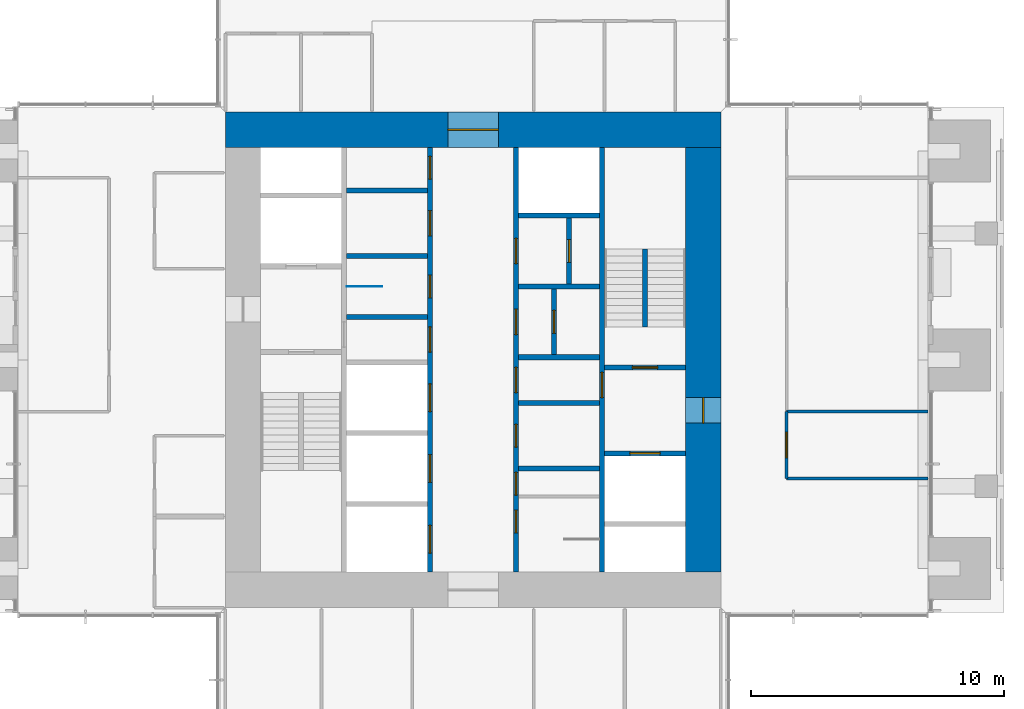
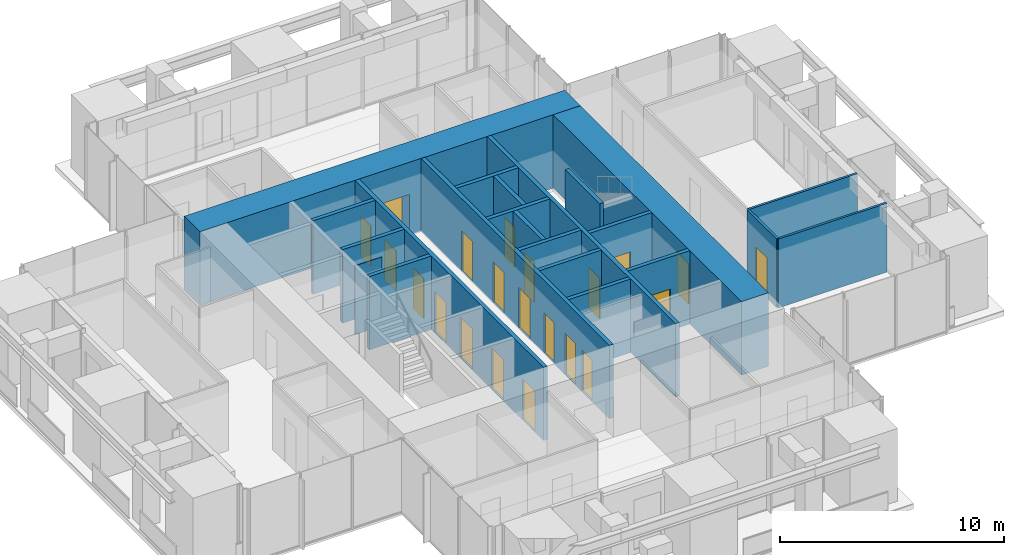
# One storey, part 13 of 17: 22 walls, 21 doors, 21 openings.
"""IFC4 building model written with IfcOpenShell, lengths in metres."""

from ifc_helpers import new_model, si_unit, direction, frame, frame_2d, origin, place, context, subcontext, project, spatial, rectangle, extrude, material, layer, layer_set, type_object, element, fill, save


model = new_model("IFC4")

# Units and contexts
model_context = context("Model", 3, precision=1e-05, world=origin(), true_north=direction((0.0, 1.0)))
body_context = subcontext(model_context, "Body", "Model", "MODEL_VIEW")
ifc_project = project(units=[si_unit("LENGTHUNIT", "METRE"), si_unit("AREAUNIT", "SQUARE_METRE"), si_unit("VOLUMEUNIT", "CUBIC_METRE"), si_unit("PLANEANGLEUNIT", "RADIAN"), si_unit("MASSUNIT", "GRAM", prefix="KILO")], contexts=[model_context])

# Site, building, storey
site_placement = place(None, origin())
site = spatial("IfcSite", under=ifc_project, at=site_placement, CompositionType="ELEMENT")
building_placement = place(site_placement, origin())
building = spatial("IfcBuilding", under=site, at=building_placement, Name="Svetlomir Tower", CompositionType="ELEMENT")
storey_placement = place(building_placement, frame((0.0, 0.0, 206.5)))
storey = spatial("IfcBuildingStorey", under=building, at=storey_placement, Name="L49", CompositionType="ELEMENT", Elevation=206.5)

# Wall, openings, doors
ifc_material_1 = material(Name="Concrete C60/75", Category="concrete")
ifc_layer_1 = layer(ifc_material_1, 0.199951171875)
ifc_layer_set_1 = layer_set([ifc_layer_1], Name="Concrete C60/75")
wall_type_1 = type_object("IfcWallType", Name="CORE INNER WALL 200", PredefinedType="SHEAR", material=ifc_layer_set_1)
wall_1_placement = place(storey_placement, frame((19.300048828125, 12.60009765625, -0.050048828125), z_axis=(0.0, 0.0, 1.0), x_axis=(0.0, 1.0, 0.0)))
wall_1 = element("IfcWall", 1, at=wall_1_placement, inside=storey, type_object=wall_type_1, Name="Core inner wall 19.3 L49", PredefinedType="SHEAR", context=body_context, shape_type="SweptSolid", body=[
    extrude(rectangle(XDim=16.7998046875, YDim=0.199951171875, at=frame_2d((8.39990234375, 0.0))), origin(), (0.0, 0.0, 1.0), 4.0),
])
opening_1_placement = place(wall_1_placement, frame((8.699951171875, 0.0, 0.050048828125)))
opening_1 = element("IfcOpeningElement", 2, at=opening_1_placement, cuts=wall_1, Name="Opening DC", PredefinedType="OPENING", context=body_context, shape_type="SweptSolid", body=[
    extrude(rectangle(XDim=1.0, YDim=2.199951171875, at=frame_2d((0.5, 1.10009765625))), frame((0.0, 0.10986328125, 0.0), z_axis=(0.0, -1.0, 0.0), x_axis=(1.0, 0.0, 0.0)), (0.0, 0.0, 1.0), 0.219970703125),
])
opening_2_placement = place(wall_1_placement, frame((10.85009765625, 0.0, 0.050048828125)))
opening_2 = element("IfcOpeningElement", 3, at=opening_2_placement, cuts=wall_1, Name="Opening DW", PredefinedType="OPENING", context=body_context, shape_type="SweptSolid", body=[
    extrude(rectangle(XDim=0.89990234375, YDim=2.199951171875, at=frame_2d((0.449951171875, 1.10009765625))), frame((0.0, 0.10986328125, 0.0), z_axis=(0.0, -1.0, 0.0), x_axis=(1.0, 0.0, 0.0)), (0.0, 0.0, 1.0), 0.219970703125),
])
opening_3_placement = place(wall_1_placement, frame((13.300048828125, 0.0, 0.050048828125)))
opening_3 = element("IfcOpeningElement", 4, at=opening_3_placement, cuts=wall_1, Name="Opening DC", PredefinedType="OPENING", context=body_context, shape_type="SweptSolid", body=[
    extrude(rectangle(XDim=1.0, YDim=2.199951171875, at=frame_2d((0.5, 1.10009765625))), frame((0.0, 0.10986328125, 0.0), z_axis=(0.0, -1.0, 0.0), x_axis=(1.0, 0.0, 0.0)), (0.0, 0.0, 1.0), 0.219970703125),
])
opening_4_placement = place(wall_1_placement, frame((15.550048828125, 0.0, 0.050048828125)))
opening_4 = element("IfcOpeningElement", 5, at=opening_4_placement, cuts=wall_1, Name="Opening DW", PredefinedType="OPENING", context=body_context, shape_type="SweptSolid", body=[
    extrude(rectangle(XDim=0.89990234375, YDim=2.199951171875, at=frame_2d((0.449951171875, 1.10009765625))), frame((0.0, 0.10986328125, 0.0), z_axis=(0.0, -1.0, 0.0), x_axis=(1.0, 0.0, 0.0)), (0.0, 0.0, 1.0), 0.219970703125),
])
opening_5_placement = place(wall_1_placement, frame((0.75, 0.0, 0.050048828125)))
opening_5 = element("IfcOpeningElement", 6, at=opening_5_placement, cuts=wall_1, Name="Opening LD", PredefinedType="OPENING", context=body_context, shape_type="SweptSolid", body=[
    extrude(rectangle(XDim=1.10009765625, YDim=2.199951171875, at=frame_2d((0.550048828125, 1.10009765625))), frame((0.0, 0.10986328125, 0.0), z_axis=(0.0, -1.0, 0.0), x_axis=(1.0, 0.0, 0.0)), (0.0, 0.0, 1.0), 0.219970703125),
])
opening_6_placement = place(wall_1_placement, frame((3.550048828125, 0.0, 0.050048828125)))
opening_6 = element("IfcOpeningElement", 7, at=opening_6_placement, cuts=wall_1, Name="Opening LD", PredefinedType="OPENING", context=body_context, shape_type="SweptSolid", body=[
    extrude(rectangle(XDim=1.10009765625, YDim=2.199951171875, at=frame_2d((0.550048828125, 1.10009765625))), frame((0.0, 0.10986328125, 0.0), z_axis=(0.0, -1.0, 0.0), x_axis=(1.0, 0.0, 0.0)), (0.0, 0.0, 1.0), 0.219970703125),
])
opening_7_placement = place(wall_1_placement, frame((6.35009765625, 0.0, 0.050048828125)))
opening_7 = element("IfcOpeningElement", 8, at=opening_7_placement, cuts=wall_1, Name="Opening LD", PredefinedType="OPENING", context=body_context, shape_type="SweptSolid", body=[
    extrude(rectangle(XDim=1.10009765625, YDim=2.199951171875, at=frame_2d((0.550048828125, 1.10009765625))), frame((0.0, 0.10986328125, 0.0), z_axis=(0.0, -1.0, 0.0), x_axis=(1.0, 0.0, 0.0)), (0.0, 0.0, 1.0), 0.219970703125),
])
ifc_material_2 = material(Name="Timber fire door", Category="wood")
door_type_1 = type_object("IfcDoorType", Name="DOOR DC 1000x2200", OperationType="SINGLE_SWING_LEFT", PredefinedType="DOOR", material=ifc_material_2)
door_1_placement = place(opening_1_placement, origin())
door_1 = element("IfcDoor", 9, at=door_1_placement, inside=storey, type_object=door_type_1, Name="Core corridor west lobby door L49", OperationType="SINGLE_SWING_RIGHT", OverallHeight=2.199951171875, OverallWidth=1.0, PredefinedType="DOOR", context=body_context, shape_type="SweptSolid", body=[
    extrude(rectangle(XDim=1.0, YDim=2.199951171875, at=frame_2d((0.5, 1.10009765625))), frame((0.0, 0.02490234375, 0.0), z_axis=(0.0, -1.0, 0.0), x_axis=(1.0, 0.0, 0.0)), (0.0, 0.0, 1.0), 0.050048828125),
])
fill(opening_1, door_1)
door_2_placement = place(opening_3_placement, origin())
door_2 = element("IfcDoor", 10, at=door_2_placement, inside=storey, type_object=door_type_1, Name="Accessible WC door L49", OperationType="SINGLE_SWING_LEFT", OverallHeight=2.199951171875, OverallWidth=1.0, PredefinedType="DOOR", context=body_context, shape_type="SweptSolid", body=[
    extrude(rectangle(XDim=1.0, YDim=2.199951171875, at=frame_2d((0.5, 1.10009765625))), frame((0.0, 0.02490234375, 0.0), z_axis=(0.0, -1.0, 0.0), x_axis=(1.0, 0.0, 0.0)), (0.0, 0.0, 1.0), 0.050048828125),
])
fill(opening_3, door_2)
ifc_material_3 = material(Name="Timber fire door", Category="wood")
door_type_2 = type_object("IfcDoorType", Name="DOOR DW 900x2200", OperationType="SINGLE_SWING_LEFT", PredefinedType="DOOR", material=ifc_material_3)
door_3_placement = place(opening_2_placement, origin())
door_3 = element("IfcDoor", 11, at=door_3_placement, inside=storey, type_object=door_type_2, Name="Female WC door L49", OperationType="SINGLE_SWING_RIGHT", OverallHeight=2.199951171875, OverallWidth=0.89990234375, PredefinedType="DOOR", context=body_context, shape_type="SweptSolid", body=[
    extrude(rectangle(XDim=0.89990234375, YDim=2.199951171875, at=frame_2d((0.449951171875, 1.10009765625))), frame((0.0, 0.02490234375, 0.0), z_axis=(0.0, -1.0, 0.0), x_axis=(1.0, 0.0, 0.0)), (0.0, 0.0, 1.0), 0.050048828125),
])
fill(opening_2, door_3)
door_4_placement = place(opening_4_placement, origin())
door_4 = element("IfcDoor", 12, at=door_4_placement, inside=storey, type_object=door_type_2, Name="Tea point door L49", OperationType="SINGLE_SWING_RIGHT", OverallHeight=2.199951171875, OverallWidth=0.89990234375, PredefinedType="DOOR", context=body_context, shape_type="SweptSolid", body=[
    extrude(rectangle(XDim=0.89990234375, YDim=2.199951171875, at=frame_2d((0.449951171875, 1.10009765625))), frame((0.0, 0.02490234375, 0.0), z_axis=(0.0, -1.0, 0.0), x_axis=(1.0, 0.0, 0.0)), (0.0, 0.0, 1.0), 0.050048828125),
])
fill(opening_4, door_4)
ifc_material_4 = material(Name="Stainless steel landing door", Category="steel")
door_type_3 = type_object("IfcDoorType", Name="LIFT LANDING DOOR LD 1100x2200", OperationType="DOUBLE_DOOR_SLIDING", PredefinedType="DOOR", material=ifc_material_4)
door_5_placement = place(opening_5_placement, origin())
door_5 = element("IfcDoor", 13, at=door_5_placement, inside=storey, type_object=door_type_3, Name="Landing door lift LC1 L49", OperationType="DOUBLE_DOOR_SLIDING", OverallHeight=2.199951171875, OverallWidth=1.10009765625, PredefinedType="DOOR", context=body_context, shape_type="SweptSolid", body=[
    extrude(rectangle(XDim=1.10009765625, YDim=2.199951171875, at=frame_2d((0.550048828125, 1.10009765625))), frame((0.0, 0.02490234375, 0.0), z_axis=(0.0, -1.0, 0.0), x_axis=(1.0, 0.0, 0.0)), (0.0, 0.0, 1.0), 0.050048828125),
])
fill(opening_5, door_5)
door_6_placement = place(opening_6_placement, origin())
door_6 = element("IfcDoor", 14, at=door_6_placement, inside=storey, type_object=door_type_3, Name="Landing door lift LC2 L49", OperationType="DOUBLE_DOOR_SLIDING", OverallHeight=2.199951171875, OverallWidth=1.10009765625, PredefinedType="DOOR", context=body_context, shape_type="SweptSolid", body=[
    extrude(rectangle(XDim=1.10009765625, YDim=2.199951171875, at=frame_2d((0.550048828125, 1.10009765625))), frame((0.0, 0.02490234375, 0.0), z_axis=(0.0, -1.0, 0.0), x_axis=(1.0, 0.0, 0.0)), (0.0, 0.0, 1.0), 0.050048828125),
])
fill(opening_6, door_6)
door_7_placement = place(opening_7_placement, origin())
door_7 = element("IfcDoor", 15, at=door_7_placement, inside=storey, type_object=door_type_3, Name="Landing door lift LC3 L49", OperationType="DOUBLE_DOOR_SLIDING", OverallHeight=2.199951171875, OverallWidth=1.10009765625, PredefinedType="DOOR", context=body_context, shape_type="SweptSolid", body=[
    extrude(rectangle(XDim=1.10009765625, YDim=2.199951171875, at=frame_2d((0.550048828125, 1.10009765625))), frame((0.0, 0.02490234375, 0.0), z_axis=(0.0, -1.0, 0.0), x_axis=(1.0, 0.0, 0.0)), (0.0, 0.0, 1.0), 0.050048828125),
])
fill(opening_7, door_7)

wall_2_placement = place(storey_placement, frame((22.699951171875, 12.60009765625, -0.050048828125), z_axis=(0.0, 0.0, 1.0), x_axis=(0.0, 1.0, 0.0)))
wall_2 = element("IfcWall", 16, at=wall_2_placement, inside=storey, type_object=wall_type_1, Name="Core inner wall 22.7 L49", PredefinedType="SHEAR", context=body_context, shape_type="SweptSolid", body=[
    extrude(rectangle(XDim=16.7998046875, YDim=0.199951171875, at=frame_2d((8.39990234375, 0.0))), origin(), (0.0, 0.0, 1.0), 4.0),
])
opening_8_placement = place(wall_2_placement, frame((3.050048828125, 0.0, 0.050048828125)))
opening_8 = element("IfcOpeningElement", 17, at=opening_8_placement, cuts=wall_2, Name="Opening DW", PredefinedType="OPENING", context=body_context, shape_type="SweptSolid", body=[
    extrude(rectangle(XDim=0.89990234375, YDim=2.199951171875, at=frame_2d((0.449951171875, 1.10009765625))), frame((0.0, 0.10986328125, 0.0), z_axis=(0.0, -1.0, 0.0), x_axis=(1.0, 0.0, 0.0)), (0.0, 0.0, 1.0), 0.219970703125),
])
opening_9_placement = place(wall_2_placement, frame((7.10009765625, 0.0, 0.050048828125)))
opening_9 = element("IfcOpeningElement", 18, at=opening_9_placement, cuts=wall_2, Name="Opening DC", PredefinedType="OPENING", context=body_context, shape_type="SweptSolid", body=[
    extrude(rectangle(XDim=1.0, YDim=2.199951171875, at=frame_2d((0.5, 1.10009765625))), frame((0.0, 0.10986328125, 0.0), z_axis=(0.0, -1.0, 0.0), x_axis=(1.0, 0.0, 0.0)), (0.0, 0.0, 1.0), 0.219970703125),
])
opening_10_placement = place(wall_2_placement, frame((1.550048828125, 0.0, 0.050048828125)))
opening_10 = element("IfcOpeningElement", 19, at=opening_10_placement, cuts=wall_2, Name="Opening DW", PredefinedType="OPENING", context=body_context, shape_type="SweptSolid", body=[
    extrude(rectangle(XDim=0.89990234375, YDim=2.199951171875, at=frame_2d((0.449951171875, 1.10009765625))), frame((0.0, 0.10986328125, 0.0), z_axis=(0.0, -1.0, 0.0), x_axis=(1.0, 0.0, 0.0)), (0.0, 0.0, 1.0), 0.219970703125),
])
opening_11_placement = place(wall_2_placement, frame((4.949951171875, 0.0, 0.050048828125)))
opening_11 = element("IfcOpeningElement", 20, at=opening_11_placement, cuts=wall_2, Name="Opening DW", PredefinedType="OPENING", context=body_context, shape_type="SweptSolid", body=[
    extrude(rectangle(XDim=0.89990234375, YDim=2.199951171875, at=frame_2d((0.449951171875, 1.10009765625))), frame((0.0, 0.10986328125, 0.0), z_axis=(0.0, -1.0, 0.0), x_axis=(1.0, 0.0, 0.0)), (0.0, 0.0, 1.0), 0.219970703125),
])
opening_12_placement = place(wall_2_placement, frame((9.39990234375, 0.0, 0.050048828125)))
opening_12 = element("IfcOpeningElement", 21, at=opening_12_placement, cuts=wall_2, Name="Opening DC", PredefinedType="OPENING", context=body_context, shape_type="SweptSolid", body=[
    extrude(rectangle(XDim=1.0, YDim=2.199951171875, at=frame_2d((0.5, 1.10009765625))), frame((0.0, 0.10986328125, 0.0), z_axis=(0.0, -1.0, 0.0), x_axis=(1.0, 0.0, 0.0)), (0.0, 0.0, 1.0), 0.219970703125),
])
opening_13_placement = place(wall_2_placement, frame((12.199951171875, 0.0, 0.050048828125)))
opening_13 = element("IfcOpeningElement", 22, at=opening_13_placement, cuts=wall_2, Name="Opening DC", PredefinedType="OPENING", context=body_context, shape_type="SweptSolid", body=[
    extrude(rectangle(XDim=1.0, YDim=2.199951171875, at=frame_2d((0.5, 1.10009765625))), frame((0.0, 0.10986328125, 0.0), z_axis=(0.0, -1.0, 0.0), x_axis=(1.0, 0.0, 0.0)), (0.0, 0.0, 1.0), 0.219970703125),
])
door_8_placement = place(opening_9_placement, origin())
door_8 = element("IfcDoor", 23, at=door_8_placement, inside=storey, type_object=door_type_1, Name="Core corridor east lobby door L49", OperationType="SINGLE_SWING_LEFT", OverallHeight=2.199951171875, OverallWidth=1.0, PredefinedType="DOOR", context=body_context, shape_type="SweptSolid", body=[
    extrude(rectangle(XDim=1.0, YDim=2.199951171875, at=frame_2d((0.5, 1.10009765625))), frame((0.0, 0.02490234375, 0.0), z_axis=(0.0, -1.0, 0.0), x_axis=(1.0, 0.0, 0.0)), (0.0, 0.0, 1.0), 0.050048828125),
])
fill(opening_9, door_8)
door_9_placement = place(opening_12_placement, origin())
door_9 = element("IfcDoor", 24, at=door_9_placement, inside=storey, type_object=door_type_1, Name="Converted shaft BANK-E1 room door L49", OperationType="SINGLE_SWING_LEFT", OverallHeight=2.199951171875, OverallWidth=1.0, PredefinedType="DOOR", context=body_context, shape_type="SweptSolid", body=[
    extrude(rectangle(XDim=1.0, YDim=2.199951171875, at=frame_2d((0.5, 1.10009765625))), frame((0.0, 0.02490234375, 0.0), z_axis=(0.0, -1.0, 0.0), x_axis=(1.0, 0.0, 0.0)), (0.0, 0.0, 1.0), 0.050048828125),
])
fill(opening_12, door_9)
door_10_placement = place(opening_13_placement, origin())
door_10 = element("IfcDoor", 25, at=door_10_placement, inside=storey, type_object=door_type_1, Name="Converted shaft BANK-E2 room door L49", OperationType="SINGLE_SWING_LEFT", OverallHeight=2.199951171875, OverallWidth=1.0, PredefinedType="DOOR", context=body_context, shape_type="SweptSolid", body=[
    extrude(rectangle(XDim=1.0, YDim=2.199951171875, at=frame_2d((0.5, 1.10009765625))), frame((0.0, 0.02490234375, 0.0), z_axis=(0.0, -1.0, 0.0), x_axis=(1.0, 0.0, 0.0)), (0.0, 0.0, 1.0), 0.050048828125),
])
fill(opening_13, door_10)
door_11_placement = place(opening_8_placement, origin())
door_11 = element("IfcDoor", 26, at=door_11_placement, inside=storey, type_object=door_type_2, Name="Shower and changing room door L49", OperationType="SINGLE_SWING_LEFT", OverallHeight=2.199951171875, OverallWidth=0.89990234375, PredefinedType="DOOR", context=body_context, shape_type="SweptSolid", body=[
    extrude(rectangle(XDim=0.89990234375, YDim=2.199951171875, at=frame_2d((0.449951171875, 1.10009765625))), frame((0.0, 0.02490234375, 0.0), z_axis=(0.0, -1.0, 0.0), x_axis=(1.0, 0.0, 0.0)), (0.0, 0.0, 1.0), 0.050048828125),
])
fill(opening_8, door_11)
door_12_placement = place(opening_10_placement, origin())
door_12 = element("IfcDoor", 27, at=door_12_placement, inside=storey, type_object=door_type_2, Name="Male WC door L49", OperationType="SINGLE_SWING_RIGHT", OverallHeight=2.199951171875, OverallWidth=0.89990234375, PredefinedType="DOOR", context=body_context, shape_type="SweptSolid", body=[
    extrude(rectangle(XDim=0.89990234375, YDim=2.199951171875, at=frame_2d((0.449951171875, 1.10009765625))), frame((0.0, 0.02490234375, 0.0), z_axis=(0.0, -1.0, 0.0), x_axis=(1.0, 0.0, 0.0)), (0.0, 0.0, 1.0), 0.050048828125),
])
fill(opening_10, door_12)
door_13_placement = place(opening_11_placement, origin())
door_13 = element("IfcDoor", 28, at=door_13_placement, inside=storey, type_object=door_type_2, Name="Comms room door L49", OperationType="SINGLE_SWING_RIGHT", OverallHeight=2.199951171875, OverallWidth=0.89990234375, PredefinedType="DOOR", context=body_context, shape_type="SweptSolid", body=[
    extrude(rectangle(XDim=0.89990234375, YDim=2.199951171875, at=frame_2d((0.449951171875, 1.10009765625))), frame((0.0, 0.02490234375, 0.0), z_axis=(0.0, -1.0, 0.0), x_axis=(1.0, 0.0, 0.0)), (0.0, 0.0, 1.0), 0.050048828125),
])
fill(opening_11, door_13)

# Wall, opening, door
wall_3_placement = place(storey_placement, frame((26.10009765625, 12.60009765625, -0.050048828125), z_axis=(0.0, 0.0, 1.0), x_axis=(0.0, 1.0, 0.0)))
wall_3 = element("IfcWall", 29, at=wall_3_placement, inside=storey, type_object=wall_type_1, Name="Core inner wall 26.1 L49", PredefinedType="SHEAR", context=body_context, shape_type="SweptSolid", body=[
    extrude(rectangle(XDim=16.7998046875, YDim=0.199951171875, at=frame_2d((8.39990234375, 0.0))), origin(), (0.0, 0.0, 1.0), 4.0),
])
opening_14_placement = place(wall_3_placement, frame((6.89990234375, 0.0, 0.050048828125)))
opening_14 = element("IfcOpeningElement", 30, at=opening_14_placement, cuts=wall_3, Name="Opening DF", PredefinedType="OPENING", context=body_context, shape_type="SweptSolid", body=[
    extrude(rectangle(XDim=1.0, YDim=2.199951171875, at=frame_2d((0.5, 1.10009765625))), frame((0.0, 0.10986328125, 0.0), z_axis=(0.0, -1.0, 0.0), x_axis=(1.0, 0.0, 0.0)), (0.0, 0.0, 1.0), 0.219970703125),
])
ifc_material_5 = material(Name="Steel fire door", Category="steel")
door_type_4 = type_object("IfcDoorType", Name="DOOR DF 1000x2200", OperationType="SINGLE_SWING_LEFT", PredefinedType="DOOR", material=ifc_material_5)
door_14_placement = place(opening_14_placement, origin())
door_14 = element("IfcDoor", 31, at=door_14_placement, inside=storey, type_object=door_type_4, Name="Core corridor east door L49", OperationType="SINGLE_SWING_LEFT", OverallHeight=2.199951171875, OverallWidth=1.0, PredefinedType="DOOR", context=body_context, shape_type="SweptSolid", body=[
    extrude(rectangle(XDim=1.0, YDim=2.199951171875, at=frame_2d((0.5, 1.10009765625))), frame((0.0, 0.02490234375, 0.0), z_axis=(0.0, -1.0, 0.0), x_axis=(1.0, 0.0, 0.0)), (0.0, 0.0, 1.0), 0.050048828125),
])
fill(opening_14, door_14)

# Walls
for number, where, z_axis, x_axis, name in (
    (32, (16.0, 22.699951171875, -0.050048828125), (0.0, 0.0, 1.0), (1.0, 0.0, 0.0), "Core inner wall 16-19.2/22.7 L49"),
    (33, (16.0, 25.10009765625, -0.050048828125), (0.0, 0.0, 1.0), (1.0, 0.0, 0.0), "Core inner wall 16-19.2/25.1 L49"),
    (34, (16.0, 27.699951171875, -0.050048828125), (0.0, 0.0, 1.0), (1.0, 0.0, 0.0), "Core inner wall 16-19.2/27.7 L49"),
    (35, (22.800048828125, 16.699951171875, -0.050048828125), (0.0, 0.0, 1.0), (1.0, 0.0, 0.0), "Core inner wall 22.8-26/16.7 L49"),
    (36, (22.800048828125, 19.300048828125, -0.050048828125), (0.0, 0.0, 1.0), (1.0, 0.0, 0.0), "Core inner wall 22.8-26/19.3 L49"),
    (37, (22.800048828125, 21.10009765625, -0.050048828125), (0.0, 0.0, 1.0), (1.0, 0.0, 0.0), "Core inner wall 22.8-26/21.1 L49"),
    (38, (22.800048828125, 23.89990234375, -0.050048828125), (0.0, 0.0, 1.0), (1.0, 0.0, 0.0), "Core inner wall 22.8-26/23.9 L49"),
    (39, (22.800048828125, 26.699951171875, -0.050048828125), (0.0, 0.0, 1.0), (1.0, 0.0, 0.0), "Core inner wall 22.8-26/26.7 L49"),
):
    element("IfcWall", number, at=place(storey_placement, frame(where, z_axis=z_axis, x_axis=x_axis)), inside=storey, type_object=wall_type_1, Name=name, PredefinedType="SHEAR", context=body_context, shape_type="SweptSolid", body=[
        extrude(rectangle(XDim=3.199951171875, YDim=0.199951171875, at=frame_2d((1.60009765625, 0.0))), origin(), (0.0, 0.0, 1.0), 4.0),
    ])

# Wall, opening, door
wall_4_placement = place(storey_placement, frame((26.199951171875, 17.300048828125, -0.050048828125), z_axis=(0.0, 0.0, 1.0), x_axis=(1.0, 0.0, 0.0)))
wall_4 = element("IfcWall", 40, at=wall_4_placement, inside=storey, type_object=wall_type_1, Name="Core inner wall 26.2-29.4/17.3 L49", PredefinedType="SHEAR", context=body_context, shape_type="SweptSolid", body=[
    extrude(rectangle(XDim=3.199951171875, YDim=0.199951171875, at=frame_2d((1.60009765625, 0.0))), origin(), (0.0, 0.0, 1.0), 4.0),
])
opening_15_placement = place(wall_4_placement, frame((1.0, 0.0, 0.050048828125)))
opening_15 = element("IfcOpeningElement", 41, at=opening_15_placement, cuts=wall_4, Name="Opening LD3", PredefinedType="OPENING", context=body_context, shape_type="SweptSolid", body=[
    extrude(rectangle(XDim=1.199951171875, YDim=2.199951171875, at=frame_2d((0.60009765625, 1.10009765625))), frame((0.0, 0.10986328125, 0.0), z_axis=(0.0, -1.0, 0.0), x_axis=(1.0, 0.0, 0.0)), (0.0, 0.0, 1.0), 0.219970703125),
])
ifc_material_6 = material(Name="Stainless steel fire-rated landing door", Category="steel")
door_type_5 = type_object("IfcDoorType", Name="FIREFIGHTING LIFT LANDING DOOR LD3 1200x2200", OperationType="DOUBLE_DOOR_SLIDING", PredefinedType="DOOR", material=ifc_material_6)
door_15_placement = place(opening_15_placement, origin())
door_15 = element("IfcDoor", 42, at=door_15_placement, inside=storey, type_object=door_type_5, Name="Landing door lift FL2 L49", OperationType="DOUBLE_DOOR_SLIDING", OverallHeight=2.199951171875, OverallWidth=1.199951171875, PredefinedType="DOOR", context=body_context, shape_type="SweptSolid", body=[
    extrude(rectangle(XDim=1.199951171875, YDim=2.199951171875, at=frame_2d((0.60009765625, 1.10009765625))), frame((0.0, 0.02490234375, 0.0), z_axis=(0.0, -1.0, 0.0), x_axis=(1.0, 0.0, 0.0)), (0.0, 0.0, 1.0), 0.050048828125),
])
fill(opening_15, door_15)

wall_5_placement = place(storey_placement, frame((26.199951171875, 20.699951171875, -0.050048828125), z_axis=(0.0, 0.0, 1.0), x_axis=(1.0, 0.0, 0.0)))
wall_5 = element("IfcWall", 43, at=wall_5_placement, inside=storey, type_object=wall_type_1, Name="Core inner wall 26.2-29.4/20.7 L49", PredefinedType="SHEAR", context=body_context, shape_type="SweptSolid", body=[
    extrude(rectangle(XDim=3.199951171875, YDim=0.199951171875, at=frame_2d((1.60009765625, 0.0))), origin(), (0.0, 0.0, 1.0), 4.0),
])
opening_16_placement = place(wall_5_placement, frame((1.10009765625, 0.0, 0.050048828125)))
opening_16 = element("IfcOpeningElement", 44, at=opening_16_placement, cuts=wall_5, Name="Opening DF", PredefinedType="OPENING", context=body_context, shape_type="SweptSolid", body=[
    extrude(rectangle(XDim=1.0, YDim=2.199951171875, at=frame_2d((0.5, 1.10009765625))), frame((0.0, 0.10986328125, 0.0), z_axis=(0.0, -1.0, 0.0), x_axis=(1.0, 0.0, 0.0)), (0.0, 0.0, 1.0), 0.219970703125),
])
door_16_placement = place(opening_16_placement, origin())
door_16 = element("IfcDoor", 45, at=door_16_placement, inside=storey, type_object=door_type_4, Name="Stair S2 door L49", OperationType="SINGLE_SWING_LEFT", OverallHeight=2.199951171875, OverallWidth=1.0, PredefinedType="DOOR", context=body_context, shape_type="SweptSolid", body=[
    extrude(rectangle(XDim=1.0, YDim=2.199951171875, at=frame_2d((0.5, 1.10009765625))), frame((0.0, 0.02490234375, 0.0), z_axis=(0.0, -1.0, 0.0), x_axis=(1.0, 0.0, 0.0)), (0.0, 0.0, 1.0), 0.050048828125),
])
fill(opening_16, door_16)

wall_6_placement = place(storey_placement, frame((24.199951171875, 21.199951171875, -0.050048828125), z_axis=(0.0, 0.0, 1.0), x_axis=(0.0, 1.0, 0.0)))
wall_6 = element("IfcWall", 46, at=wall_6_placement, inside=storey, type_object=wall_type_1, Name="Core inner wall 24.2/21.2-23.8 L49", PredefinedType="SHEAR", context=body_context, shape_type="SweptSolid", body=[
    extrude(rectangle(XDim=2.60009765625, YDim=0.199951171875, at=frame_2d((1.300048828125, 0.0))), origin(), (0.0, 0.0, 1.0), 4.0),
])
opening_17_placement = place(wall_6_placement, frame((0.85009765625, 0.0, 0.050048828125)))
opening_17 = element("IfcOpeningElement", 47, at=opening_17_placement, cuts=wall_6, Name="Opening DW", PredefinedType="OPENING", context=body_context, shape_type="SweptSolid", body=[
    extrude(rectangle(XDim=0.89990234375, YDim=2.199951171875, at=frame_2d((0.449951171875, 1.10009765625))), frame((0.0, 0.10986328125, 0.0), z_axis=(0.0, -1.0, 0.0), x_axis=(1.0, 0.0, 0.0)), (0.0, 0.0, 1.0), 0.219970703125),
])
door_17_placement = place(opening_17_placement, origin())
door_17 = element("IfcDoor", 48, at=door_17_placement, inside=storey, type_object=door_type_2, Name="Converted shaft BANK-E1 back room door L49", OperationType="SINGLE_SWING_RIGHT", OverallHeight=2.199951171875, OverallWidth=0.89990234375, PredefinedType="DOOR", context=body_context, shape_type="SweptSolid", body=[
    extrude(rectangle(XDim=0.89990234375, YDim=2.199951171875, at=frame_2d((0.449951171875, 1.10009765625))), frame((0.0, 0.02490234375, 0.0), z_axis=(0.0, -1.0, 0.0), x_axis=(1.0, 0.0, 0.0)), (0.0, 0.0, 1.0), 0.050048828125),
])
fill(opening_17, door_17)

wall_7_placement = place(storey_placement, frame((24.800048828125, 24.0, -0.050048828125), z_axis=(0.0, 0.0, 1.0), x_axis=(0.0, 1.0, 0.0)))
wall_7 = element("IfcWall", 49, at=wall_7_placement, inside=storey, type_object=wall_type_1, Name="Core inner wall 24.8/24-26.6 L49", PredefinedType="SHEAR", context=body_context, shape_type="SweptSolid", body=[
    extrude(rectangle(XDim=2.60009765625, YDim=0.199951171875, at=frame_2d((1.300048828125, 0.0))), origin(), (0.0, 0.0, 1.0), 4.0),
])
opening_18_placement = place(wall_7_placement, frame((0.85009765625, 0.0, 0.050048828125)))
opening_18 = element("IfcOpeningElement", 50, at=opening_18_placement, cuts=wall_7, Name="Opening DW", PredefinedType="OPENING", context=body_context, shape_type="SweptSolid", body=[
    extrude(rectangle(XDim=0.89990234375, YDim=2.199951171875, at=frame_2d((0.449951171875, 1.10009765625))), frame((0.0, 0.10986328125, 0.0), z_axis=(0.0, -1.0, 0.0), x_axis=(1.0, 0.0, 0.0)), (0.0, 0.0, 1.0), 0.219970703125),
])
door_18_placement = place(opening_18_placement, origin())
door_18 = element("IfcDoor", 51, at=door_18_placement, inside=storey, type_object=door_type_2, Name="Converted shaft BANK-E2 back room door L49", OperationType="SINGLE_SWING_RIGHT", OverallHeight=2.199951171875, OverallWidth=0.89990234375, PredefinedType="DOOR", context=body_context, shape_type="SweptSolid", body=[
    extrude(rectangle(XDim=0.89990234375, YDim=2.199951171875, at=frame_2d((0.449951171875, 1.10009765625))), frame((0.0, 0.02490234375, 0.0), z_axis=(0.0, -1.0, 0.0), x_axis=(1.0, 0.0, 0.0)), (0.0, 0.0, 1.0), 0.050048828125),
])
fill(opening_18, door_18)

ifc_material_7 = material(Name="Concrete C60/75", Category="concrete")
ifc_layer_2 = layer(ifc_material_7, 1.39990234375)
ifc_layer_set_2 = layer_set([ifc_layer_2], Name="Concrete C60/75")
wall_type_2 = type_object("IfcWallType", Name="CORE WALL 1400", PredefinedType="SHEAR", material=ifc_layer_set_2)
wall_8_placement = place(storey_placement, frame((11.199951171875, 30.10009765625, -0.050048828125), z_axis=(0.0, 0.0, 1.0), x_axis=(1.0, 0.0, 0.0)))
wall_8 = element("IfcWall", 52, at=wall_8_placement, inside=storey, type_object=wall_type_2, Name="Core wall north L49", PredefinedType="SHEAR", context=body_context, shape_type="SweptSolid", body=[
    extrude(rectangle(XDim=19.60009765625, YDim=1.39990234375, at=frame_2d((9.800048828125, 0.0))), origin(), (0.0, 0.0, 1.0), 4.0),
])
opening_19_placement = place(wall_8_placement, frame((8.800048828125, 0.0, 0.050048828125)))
opening_19 = element("IfcOpeningElement", 53, at=opening_19_placement, cuts=wall_8, Name="Opening DL", PredefinedType="OPENING", context=body_context, shape_type="SweptSolid", body=[
    extrude(rectangle(XDim=2.0, YDim=2.199951171875, at=frame_2d((1.0, 1.10009765625))), frame((0.0, 0.7099609375, 0.0), z_axis=(0.0, -1.0, 0.0), x_axis=(1.0, 0.0, 0.0)), (0.0, 0.0, 1.0), 1.419921875),
])
ifc_material_8 = material(Name="Steel fire door", Category="steel")
door_type_6 = type_object("IfcDoorType", Name="DOOR DL 2000x2200", OperationType="DOUBLE_DOOR_SINGLE_SWING", PredefinedType="DOOR", material=ifc_material_8)
door_19_placement = place(opening_19_placement, origin())
door_19 = element("IfcDoor", 54, at=door_19_placement, inside=storey, type_object=door_type_6, Name="Lift lobby north door L49", OperationType="DOUBLE_DOOR_SINGLE_SWING", OverallHeight=2.199951171875, OverallWidth=2.0, PredefinedType="DOOR", context=body_context, shape_type="SweptSolid", body=[
    extrude(rectangle(XDim=2.0, YDim=2.199951171875, at=frame_2d((1.0, 1.10009765625))), frame((0.0, 0.02490234375, 0.0), z_axis=(0.0, -1.0, 0.0), x_axis=(1.0, 0.0, 0.0)), (0.0, 0.0, 1.0), 0.050048828125),
])
fill(opening_19, door_19)

wall_9_placement = place(storey_placement, frame((30.10009765625, 12.60009765625, -0.050048828125), z_axis=(0.0, 0.0, 1.0), x_axis=(0.0, 1.0, 0.0)))
wall_9 = element("IfcWall", 55, at=wall_9_placement, inside=storey, type_object=wall_type_2, Name="Core wall east L49", PredefinedType="SHEAR", context=body_context, shape_type="SweptSolid", body=[
    extrude(rectangle(XDim=16.7998046875, YDim=1.39990234375, at=frame_2d((8.39990234375, 0.0))), origin(), (0.0, 0.0, 1.0), 4.0),
])
opening_20_placement = place(wall_9_placement, frame((5.89990234375, 0.0, 0.050048828125)))
opening_20 = element("IfcOpeningElement", 56, at=opening_20_placement, cuts=wall_9, Name="Opening DF", PredefinedType="OPENING", context=body_context, shape_type="SweptSolid", body=[
    extrude(rectangle(XDim=1.0, YDim=2.199951171875, at=frame_2d((0.5, 1.10009765625))), frame((0.0, 0.7099609375, 0.0), z_axis=(0.0, -1.0, 0.0), x_axis=(1.0, 0.0, 0.0)), (0.0, 0.0, 1.0), 1.419921875),
])
door_20_placement = place(opening_20_placement, origin())
door_20 = element("IfcDoor", 57, at=door_20_placement, inside=storey, type_object=door_type_4, Name="Firefighting lobby east door L49", OperationType="SINGLE_SWING_LEFT", OverallHeight=2.199951171875, OverallWidth=1.0, PredefinedType="DOOR", context=body_context, shape_type="SweptSolid", body=[
    extrude(rectangle(XDim=1.0, YDim=2.199951171875, at=frame_2d((0.5, 1.10009765625))), frame((0.0, 0.02490234375, 0.0), z_axis=(0.0, -1.0, 0.0), x_axis=(1.0, 0.0, 0.0)), (0.0, 0.0, 1.0), 0.050048828125),
])
fill(opening_20, door_20)

ifc_material_9 = material(Name="Gypsum board on steel studs", Category="steel")
ifc_layer_3 = layer(ifc_material_9, 0.1201171875)
ifc_layer_set_3 = layer_set([ifc_layer_3], Name="Gypsum board on steel studs")
wall_type_3 = type_object("IfcWallType", Name="PARTITION 120", PredefinedType="PARTITIONING", material=ifc_layer_set_3)
wall_10_placement = place(storey_placement, frame((33.39990234375, 16.300048828125, 0.0), z_axis=(0.0, 0.0, 1.0), x_axis=(0.0, 1.0, 0.0)))
wall_10 = element("IfcWall", 58, at=wall_10_placement, inside=storey, type_object=wall_type_3, Name="Partition L49", PredefinedType="PARTITIONING", context=body_context, shape_type="SweptSolid", body=[
    extrude(rectangle(XDim=2.64990234375, YDim=0.1201171875, at=frame_2d((1.324951171875, 0.0))), origin(), (0.0, 0.0, 1.0), 3.75),
])
opening_21_placement = place(wall_10_placement, frame((0.824951171875, 0.0, 0.0)))
opening_21 = element("IfcOpeningElement", 59, at=opening_21_placement, cuts=wall_10, Name="Opening DR", PredefinedType="OPENING", context=body_context, shape_type="SweptSolid", body=[
    extrude(rectangle(XDim=1.0, YDim=2.199951171875, at=frame_2d((0.5, 1.10009765625))), frame((0.0, 0.070068359375, 0.0), z_axis=(0.0, -1.0, 0.0), x_axis=(1.0, 0.0, 0.0)), (0.0, 0.0, 1.0), 0.14013671875),
])
ifc_material_10 = material(Name="Timber door, glazed side light", Category="wood")
door_type_7 = type_object("IfcDoorType", Name="DOOR DR 1000x2200", OperationType="SINGLE_SWING_LEFT", PredefinedType="DOOR", material=ifc_material_10)
door_21_placement = place(opening_21_placement, origin())
door_21 = element("IfcDoor", 60, at=door_21_placement, inside=storey, type_object=door_type_7, Name="Tribe lead office door L49", OperationType="SINGLE_SWING_LEFT", OverallHeight=2.199951171875, OverallWidth=1.0, PredefinedType="DOOR", context=body_context, shape_type="SweptSolid", body=[
    extrude(rectangle(XDim=1.0, YDim=2.199951171875, at=frame_2d((0.5, 1.10009765625))), frame((0.0, 0.02490234375, 0.0), z_axis=(0.0, -1.0, 0.0), x_axis=(1.0, 0.0, 0.0)), (0.0, 0.0, 1.0), 0.050048828125),
])
fill(opening_21, door_21)

# Walls
for number, where, z_axis, x_axis, name in (
    (61, (33.39990234375, 16.300048828125, 0.0), (0.0, 0.0, 1.0), (1.0, 0.0, 0.0), "Partition L49"),
    (62, (33.39990234375, 18.949951171875, 0.0), (0.0, 0.0, 1.0), (1.0, 0.0, 0.0), "Partition L49"),
):
    element("IfcWall", number, at=place(storey_placement, frame(where, z_axis=z_axis, x_axis=x_axis)), inside=storey, type_object=wall_type_3, Name=name, PredefinedType="PARTITIONING", context=body_context, shape_type="SweptSolid", body=[
        extrude(rectangle(XDim=5.60009765625, YDim=0.1201171875, at=frame_2d((2.800048828125, 0.0))), origin(), (0.0, 0.0, 1.0), 3.75),
    ])
ifc_material_11 = material(Name="Concrete C60/75", Category="concrete")
ifc_layer_4 = layer(ifc_material_11, 0.199951171875)
ifc_layer_set_4 = layer_set([ifc_layer_4], Name="Concrete C60/75")
wall_type_4 = type_object("IfcWallType", Name="STAIR SPINE WALL 200", PredefinedType="PARTITIONING", material=ifc_layer_set_4)
wall_11_placement = place(storey_placement, frame((27.800048828125, 22.300048828125, 0.0), z_axis=(0.0, 0.0, 1.0), x_axis=(0.0, 1.0, 0.0)))
element("IfcWall", 63, at=wall_11_placement, inside=storey, type_object=wall_type_4, Name="Stair S2 spine wall L49", PredefinedType="PARTITIONING", context=body_context, shape_type="SweptSolid", body=[
    extrude(rectangle(XDim=3.079833984375, YDim=0.199951171875, at=frame_2d((1.5400390625, 0.0))), origin(), (0.0, 0.0, 1.0), 4.0),
])
ifc_material_12 = material(Name="Compact laminate panel", Category="plastic")
ifc_layer_5 = layer(ifc_material_12, 0.030029296875)
ifc_layer_set_5 = layer_set([ifc_layer_5], Name="Compact laminate panel")
wall_type_5 = type_object("IfcWallType", Name="WC CUBICLE PARTITION 30", PredefinedType="PARTITIONING", material=ifc_layer_set_5)
wall_12_placement = place(storey_placement, frame((16.0, 23.89990234375, 0.0), z_axis=(0.0, 0.0, 1.0), x_axis=(1.0, 0.0, 0.0)))
element("IfcWall", 64, at=wall_12_placement, inside=storey, type_object=wall_type_5, Name="WC cubicle partition L49", PredefinedType="PARTITIONING", context=body_context, shape_type="SweptSolid", body=[
    extrude(rectangle(XDim=1.39990234375, YDim=0.030029296875, at=frame_2d((0.699951171875, 0.0))), origin(), (0.0, 0.0, 1.0), 3.75),
])

save(model, "model.ifc")
